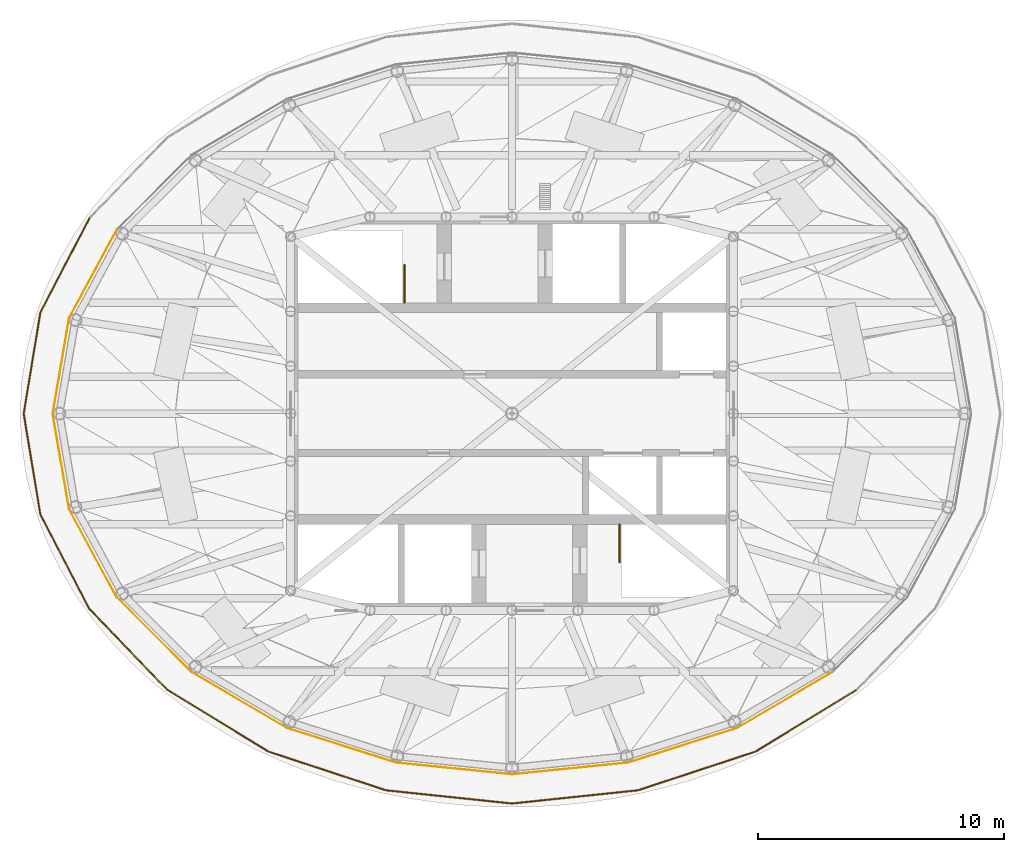
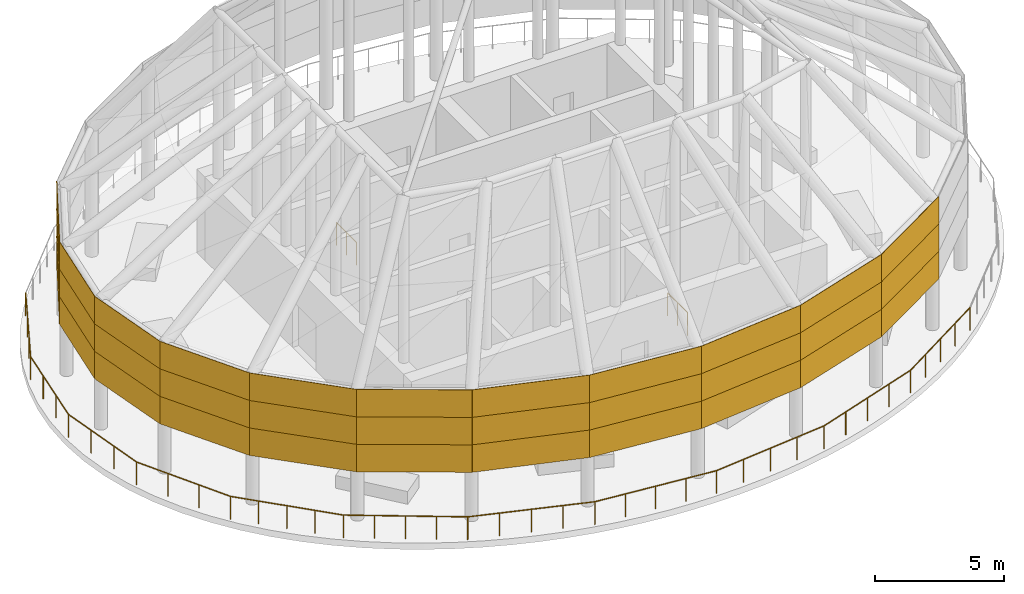
# One storey, part 6 of 8: 33 coverings, 13 railings.
"""IFC4 building model written with IfcOpenShell, lengths in metres."""

from ifc_helpers import new_model, si_unit, direction, frame, origin, origin_2d, place, context, subcontext, project, spatial, polyline, circle, outline, extrude, material, layer, layer_set, type_object, element, save


model = new_model("IFC4")

# Units and contexts
model_context = context("Model", 3, precision=1e-05, world=origin(), true_north=direction((0.0, 1.0)))
body_context = subcontext(model_context, "Body", "Model", "MODEL_VIEW")
ifc_project = project(units=[si_unit("LENGTHUNIT", "METRE"), si_unit("AREAUNIT", "SQUARE_METRE"), si_unit("VOLUMEUNIT", "CUBIC_METRE"), si_unit("PLANEANGLEUNIT", "RADIAN"), si_unit("MASSUNIT", "GRAM", prefix="KILO")], contexts=[model_context])

# Site, building, storey
site_placement = place(None, origin())
site = spatial("IfcSite", under=ifc_project, at=site_placement, CompositionType="ELEMENT")
building_placement = place(site_placement, origin())
building = spatial("IfcBuilding", under=site, at=building_placement, Name="Hankou Lantern Tower", CompositionType="ELEMENT")
storey_placement = place(building_placement, frame((0.0, 0.0, 248.699951171875)))
storey = spatial("IfcBuildingStorey", under=building, at=storey_placement, Name="RF", CompositionType="ELEMENT", Elevation=248.699951171875)

# Railings
ifc_material_1 = material(Name="Stainless steel and laminated glass guard", Category="steel")
railing_type = type_object("IfcRailingType", Name="GR1 GUARD 1100", PredefinedType="GUARDRAIL", material=ifc_material_1)
railing_1_placement = place(storey_placement, frame((-17.182373046875, 7.936279296875, 0.0)))
element("IfcRailing", 1, at=railing_1_placement, inside=storey, type_object=railing_type, Name="Roof garden guard R11", PredefinedType="GUARDRAIL", context=body_context, shape_type="SweptSolid", body=[
    extrude(circle(Radius=0.02392578125, at=origin_2d()), frame((0.0, 0.0, 1.076171875), z_axis=(-0.461153089245, -0.887320589347, 0.0), x_axis=(0.887320589347, -0.461153089245, 0.0)), (0.0, 0.0, 1.0), 4.3125),
    extrude(circle(Radius=0.02099609375, at=origin_2d()), origin(), (0.0, 0.0, 1.0), 1.052001953125),
    extrude(circle(Radius=0.02099609375, at=origin_2d()), frame((-0.662841796875, -1.275634765625, 0.0)), (0.0, 0.0, 1.0), 1.052001953125),
    extrude(circle(Radius=0.02099609375, at=origin_2d()), frame((-1.325927734375, -2.551025390625, 0.0)), (0.0, 0.0, 1.0), 1.052001953125),
    extrude(circle(Radius=0.02099609375, at=origin_2d()), frame((-1.98876953125, -3.82666015625, 0.0)), (0.0, 0.0, 1.0), 1.052001953125),
])
railing_2_placement = place(storey_placement, frame((-19.171142578125, 4.109619140625, 0.0)))
element("IfcRailing", 2, at=railing_2_placement, inside=storey, type_object=railing_type, Name="Roof garden guard R12", PredefinedType="GUARDRAIL", context=body_context, shape_type="SweptSolid", body=[
    extrude(circle(Radius=0.02392578125, at=origin_2d()), frame((0.0, 0.0, 1.076171875), z_axis=(-0.163001624862, -0.986625800541, 0.0), x_axis=(0.986625800541, -0.163001624862, 0.0)), (0.0, 0.0, 1.0), 4.165283203125),
    extrude(circle(Radius=0.02099609375, at=origin_2d()), origin(), (0.0, 0.0, 1.0), 1.052001953125),
    extrude(circle(Radius=0.02099609375, at=origin_2d()), frame((-0.226318359375, -1.369873046875, 0.0)), (0.0, 0.0, 1.0), 1.052001953125),
    extrude(circle(Radius=0.02099609375, at=origin_2d()), frame((-0.45263671875, -2.73974609375, 0.0)), (0.0, 0.0, 1.0), 1.052001953125),
    extrude(circle(Radius=0.02099609375, at=origin_2d()), frame((-0.678955078125, -4.109619140625, 0.0)), (0.0, 0.0, 1.0), 1.052001953125),
])
railing_3_placement = place(storey_placement, frame((-19.85009765625, 0.0, 0.0)))
element("IfcRailing", 3, at=railing_3_placement, inside=storey, type_object=railing_type, Name="Roof garden guard R13", PredefinedType="GUARDRAIL", context=body_context, shape_type="SweptSolid", body=[
    extrude(circle(Radius=0.02392578125, at=origin_2d()), frame((0.0, 0.0, 1.076171875), z_axis=(0.163001624862, -0.986625800541, 0.0), x_axis=(0.986625800541, 0.163001624862, 0.0)), (0.0, 0.0, 1.0), 4.165283203125),
    extrude(circle(Radius=0.02099609375, at=origin_2d()), origin(), (0.0, 0.0, 1.0), 1.052001953125),
    extrude(circle(Radius=0.02099609375, at=origin_2d()), frame((0.226318359375, -1.369873046875, 0.0)), (0.0, 0.0, 1.0), 1.052001953125),
    extrude(circle(Radius=0.02099609375, at=origin_2d()), frame((0.45263671875, -2.73974609375, 0.0)), (0.0, 0.0, 1.0), 1.052001953125),
    extrude(circle(Radius=0.02099609375, at=origin_2d()), frame((0.678955078125, -4.109619140625, 0.0)), (0.0, 0.0, 1.0), 1.052001953125),
])
railing_4_placement = place(storey_placement, frame((-19.171142578125, -4.109619140625, 0.0)))
element("IfcRailing", 4, at=railing_4_placement, inside=storey, type_object=railing_type, Name="Roof garden guard R14", PredefinedType="GUARDRAIL", context=body_context, shape_type="SweptSolid", body=[
    extrude(circle(Radius=0.02392578125, at=origin_2d()), frame((0.0, 0.0, 1.076171875), z_axis=(0.461153089245, -0.887320589347, 0.0), x_axis=(0.887320589347, 0.461153089245, 0.0)), (0.0, 0.0, 1.0), 4.3125),
    extrude(circle(Radius=0.02099609375, at=origin_2d()), origin(), (0.0, 0.0, 1.0), 1.052001953125),
    extrude(circle(Radius=0.02099609375, at=origin_2d()), frame((0.662841796875, -1.275634765625, 0.0)), (0.0, 0.0, 1.0), 1.052001953125),
    extrude(circle(Radius=0.02099609375, at=origin_2d()), frame((1.325927734375, -2.551025390625, 0.0)), (0.0, 0.0, 1.0), 1.052001953125),
    extrude(circle(Radius=0.02099609375, at=origin_2d()), frame((1.98876953125, -3.82666015625, 0.0)), (0.0, 0.0, 1.0), 1.052001953125),
])
railing_5_placement = place(storey_placement, frame((-17.182373046875, -7.936279296875, 0.0)))
element("IfcRailing", 5, at=railing_5_placement, inside=storey, type_object=railing_type, Name="Roof garden guard R15", PredefinedType="GUARDRAIL", context=body_context, shape_type="SweptSolid", body=[
    extrude(circle(Radius=0.02392578125, at=origin_2d()), frame((0.0, 0.0, 1.076171875), z_axis=(0.693555176041, -0.720403510394, 0.0), x_axis=(0.720403510394, 0.693555176041, 0.0)), (0.0, 0.0, 1.0), 4.5556640625),
    extrude(circle(Radius=0.02099609375, at=origin_2d()), origin(), (0.0, 0.0, 1.0), 1.052001953125),
    extrude(circle(Radius=0.02099609375, at=origin_2d()), frame((0.7900390625, -0.820556640625, 0.0)), (0.0, 0.0, 1.0), 1.052001953125),
    extrude(circle(Radius=0.02099609375, at=origin_2d()), frame((1.579833984375, -1.64111328125, 0.0)), (0.0, 0.0, 1.0), 1.052001953125),
    extrude(circle(Radius=0.02099609375, at=origin_2d()), frame((2.36962890625, -2.46142578125, 0.0)), (0.0, 0.0, 1.0), 1.052001953125),
    extrude(circle(Radius=0.02099609375, at=origin_2d()), frame((3.15966796875, -3.281982421875, 0.0)), (0.0, 0.0, 1.0), 1.052001953125),
])
railing_6_placement = place(storey_placement, frame((-14.022705078125, -11.21826171875, 0.0)))
element("IfcRailing", 6, at=railing_6_placement, inside=storey, type_object=railing_type, Name="Roof garden guard R16", PredefinedType="GUARDRAIL", context=body_context, shape_type="SweptSolid", body=[
    extrude(circle(Radius=0.02392578125, at=origin_2d()), frame((0.0, 0.0, 1.076171875), z_axis=(0.853108995208, -0.521732730711, 0.0), x_axis=(0.521732730711, 0.853108995208, 0.0)), (0.0, 0.0, 1.0), 4.81982421875),
    extrude(circle(Radius=0.02099609375, at=origin_2d()), origin(), (0.0, 0.0, 1.0), 1.052001953125),
    extrude(circle(Radius=0.02099609375, at=origin_2d()), frame((1.02783203125, -0.628662109375, 0.0)), (0.0, 0.0, 1.0), 1.052001953125),
    extrude(circle(Radius=0.02099609375, at=origin_2d()), frame((2.055908203125, -1.25732421875, 0.0)), (0.0, 0.0, 1.0), 1.052001953125),
    extrude(circle(Radius=0.02099609375, at=origin_2d()), frame((3.083984375, -1.885986328125, 0.0)), (0.0, 0.0, 1.0), 1.052001953125),
    extrude(circle(Radius=0.02099609375, at=origin_2d()), frame((4.11181640625, -2.5146484375, 0.0)), (0.0, 0.0, 1.0), 1.052001953125),
])
railing_7_placement = place(storey_placement, frame((-9.910888671875, -13.73291015625, 0.0)))
element("IfcRailing", 7, at=railing_7_placement, inside=storey, type_object=railing_type, Name="Roof garden guard R17", PredefinedType="GUARDRAIL", context=body_context, shape_type="SweptSolid", body=[
    extrude(circle(Radius=0.02392578125, at=origin_2d()), frame((0.0, 0.0, 1.076171875), z_axis=(0.949590701779, -0.313492422707, 0.0), x_axis=(0.313492422707, 0.949590701779, 0.0)), (0.0, 0.0, 1.0), 5.036376953125),
    extrude(circle(Radius=0.02099609375, at=origin_2d()), origin(), (0.0, 0.0, 1.0), 1.052001953125),
    extrude(circle(Radius=0.02099609375, at=origin_2d()), frame((1.195556640625, -0.394775390625, 0.0)), (0.0, 0.0, 1.0), 1.052001953125),
    extrude(circle(Radius=0.02099609375, at=origin_2d()), frame((2.39111328125, -0.78955078125, 0.0)), (0.0, 0.0, 1.0), 1.052001953125),
    extrude(circle(Radius=0.02099609375, at=origin_2d()), frame((3.5869140625, -1.18408203125, 0.0)), (0.0, 0.0, 1.0), 1.052001953125),
    extrude(circle(Radius=0.02099609375, at=origin_2d()), frame((4.782470703125, -1.578857421875, 0.0)), (0.0, 0.0, 1.0), 1.052001953125),
])
railing_8_placement = place(storey_placement, frame((-5.12841796875, -15.311767578125, 0.0)))
element("IfcRailing", 8, at=railing_8_placement, inside=storey, type_object=railing_type, Name="Roof garden guard R18", PredefinedType="GUARDRAIL", context=body_context, shape_type="SweptSolid", body=[
    extrude(circle(Radius=0.02392578125, at=origin_2d()), frame((0.0, 0.0, 1.076171875), z_axis=(0.994535764007, -0.10439642767, 0.0), x_axis=(0.10439642767, 0.994535764007, 0.0)), (0.0, 0.0, 1.0), 5.156494140625),
    extrude(circle(Radius=0.02099609375, at=origin_2d()), origin(), (0.0, 0.0, 1.0), 1.052001953125),
    extrude(circle(Radius=0.02099609375, at=origin_2d()), frame((1.2822265625, -0.134521484375, 0.0)), (0.0, 0.0, 1.0), 1.052001953125),
    extrude(circle(Radius=0.02099609375, at=origin_2d()), frame((2.564208984375, -0.26904296875, 0.0)), (0.0, 0.0, 1.0), 1.052001953125),
    extrude(circle(Radius=0.02099609375, at=origin_2d()), frame((3.84619140625, -0.40380859375, 0.0)), (0.0, 0.0, 1.0), 1.052001953125),
    extrude(circle(Radius=0.02099609375, at=origin_2d()), frame((5.12841796875, -0.538330078125, 0.0)), (0.0, 0.0, 1.0), 1.052001953125),
])
railing_9_placement = place(storey_placement, frame((0.0, -15.85009765625, 0.0)))
element("IfcRailing", 9, at=railing_9_placement, inside=storey, type_object=railing_type, Name="Roof garden guard R19", PredefinedType="GUARDRAIL", context=body_context, shape_type="SweptSolid", body=[
    extrude(circle(Radius=0.02392578125, at=origin_2d()), frame((0.0, 0.0, 1.076171875), z_axis=(0.994535764007, 0.10439642767, 0.0), x_axis=(-0.10439642767, 0.994535764007, 0.0)), (0.0, 0.0, 1.0), 5.156494140625),
    extrude(circle(Radius=0.02099609375, at=origin_2d()), origin(), (0.0, 0.0, 1.0), 1.052001953125),
    extrude(circle(Radius=0.02099609375, at=origin_2d()), frame((1.2822265625, 0.134521484375, 0.0)), (0.0, 0.0, 1.0), 1.052001953125),
    extrude(circle(Radius=0.02099609375, at=origin_2d()), frame((2.564208984375, 0.26904296875, 0.0)), (0.0, 0.0, 1.0), 1.052001953125),
    extrude(circle(Radius=0.02099609375, at=origin_2d()), frame((3.84619140625, 0.40380859375, 0.0)), (0.0, 0.0, 1.0), 1.052001953125),
    extrude(circle(Radius=0.02099609375, at=origin_2d()), frame((5.12841796875, 0.538330078125, 0.0)), (0.0, 0.0, 1.0), 1.052001953125),
])
railing_10_placement = place(storey_placement, frame((5.12841796875, -15.311767578125, 0.0)))
element("IfcRailing", 10, at=railing_10_placement, inside=storey, type_object=railing_type, Name="Roof garden guard R20", PredefinedType="GUARDRAIL", context=body_context, shape_type="SweptSolid", body=[
    extrude(circle(Radius=0.02392578125, at=origin_2d()), frame((0.0, 0.0, 1.076171875), z_axis=(0.949590701779, 0.313492422707, 0.0), x_axis=(-0.313492422707, 0.949590701779, 0.0)), (0.0, 0.0, 1.0), 5.036376953125),
    extrude(circle(Radius=0.02099609375, at=origin_2d()), origin(), (0.0, 0.0, 1.0), 1.052001953125),
    extrude(circle(Radius=0.02099609375, at=origin_2d()), frame((1.195556640625, 0.394775390625, 0.0)), (0.0, 0.0, 1.0), 1.052001953125),
    extrude(circle(Radius=0.02099609375, at=origin_2d()), frame((2.39111328125, 0.78955078125, 0.0)), (0.0, 0.0, 1.0), 1.052001953125),
    extrude(circle(Radius=0.02099609375, at=origin_2d()), frame((3.5869140625, 1.18408203125, 0.0)), (0.0, 0.0, 1.0), 1.052001953125),
    extrude(circle(Radius=0.02099609375, at=origin_2d()), frame((4.782470703125, 1.578857421875, 0.0)), (0.0, 0.0, 1.0), 1.052001953125),
])
railing_11_placement = place(storey_placement, frame((9.910888671875, -13.73291015625, 0.0)))
element("IfcRailing", 11, at=railing_11_placement, inside=storey, type_object=railing_type, Name="Roof garden guard R21", PredefinedType="GUARDRAIL", context=body_context, shape_type="SweptSolid", body=[
    extrude(circle(Radius=0.02392578125, at=origin_2d()), frame((0.0, 0.0, 1.076171875), z_axis=(0.853108995208, 0.521732730711, 0.0), x_axis=(-0.521732730711, 0.853108995208, 0.0)), (0.0, 0.0, 1.0), 4.81982421875),
    extrude(circle(Radius=0.02099609375, at=origin_2d()), origin(), (0.0, 0.0, 1.0), 1.052001953125),
    extrude(circle(Radius=0.02099609375, at=origin_2d()), frame((1.02783203125, 0.628662109375, 0.0)), (0.0, 0.0, 1.0), 1.052001953125),
    extrude(circle(Radius=0.02099609375, at=origin_2d()), frame((2.055908203125, 1.25732421875, 0.0)), (0.0, 0.0, 1.0), 1.052001953125),
    extrude(circle(Radius=0.02099609375, at=origin_2d()), frame((3.083984375, 1.885986328125, 0.0)), (0.0, 0.0, 1.0), 1.052001953125),
    extrude(circle(Radius=0.02099609375, at=origin_2d()), frame((4.11181640625, 2.5146484375, 0.0)), (0.0, 0.0, 1.0), 1.052001953125),
])
railing_12_placement = place(storey_placement, frame((-4.3701171875, 4.5, 0.0)))
element("IfcRailing", 12, at=railing_12_placement, inside=storey, type_object=railing_type, Name="Stair STA well guard RF", PredefinedType="GUARDRAIL", context=body_context, shape_type="SweptSolid", body=[
    extrude(circle(Radius=0.02392578125, at=origin_2d()), frame((0.0, 0.0, 1.076171875), z_axis=(0.0, 1.0, 0.0), x_axis=(-1.0, 0.0, 0.0)), (0.0, 0.0, 1.0), 1.550048828125),
    extrude(circle(Radius=0.02099609375, at=origin_2d()), origin(), (0.0, 0.0, 1.0), 1.052001953125),
    extrude(circle(Radius=0.02099609375, at=origin_2d()), frame((0.0, 0.77490234375, 0.0)), (0.0, 0.0, 1.0), 1.052001953125),
    extrude(circle(Radius=0.02099609375, at=origin_2d()), frame((0.0, 1.550048828125, 0.0)), (0.0, 0.0, 1.0), 1.052001953125),
])
railing_13_placement = place(storey_placement, frame((4.3701171875, -4.5, 0.0)))
element("IfcRailing", 13, at=railing_13_placement, inside=storey, type_object=railing_type, Name="Stair STB well guard RF", PredefinedType="GUARDRAIL", context=body_context, shape_type="SweptSolid", body=[
    extrude(circle(Radius=0.02392578125, at=origin_2d()), frame((0.0, 0.0, 1.076171875), z_axis=(0.0, -1.0, 0.0), x_axis=(1.0, 0.0, 0.0)), (0.0, 0.0, 1.0), 1.550048828125),
    extrude(circle(Radius=0.02099609375, at=origin_2d()), origin(), (0.0, 0.0, 1.0), 1.052001953125),
    extrude(circle(Radius=0.02099609375, at=origin_2d()), frame((0.0, -0.77490234375, 0.0)), (0.0, 0.0, 1.0), 1.052001953125),
    extrude(circle(Radius=0.02099609375, at=origin_2d()), frame((0.0, -1.550048828125, 0.0)), (0.0, 0.0, 1.0), 1.052001953125),
])

# Coverings
ifc_material_2 = material(Name="Perforated aluminium, black anodised", Category="aluminium")
ifc_layer = layer(ifc_material_2, 0.02001953125)
ifc_layer_set = layer_set([ifc_layer], Name="Perforated aluminium, black anodised")
covering_type = type_object("IfcCoveringType", Name="LS1 LANTERN SCREEN PANEL", PredefinedType="CLADDING", material=ifc_layer_set)
covering_1_placement = place(storey_placement, frame((-16.05224609375, 7.472900390625, 2.35009765625), z_axis=(0.879686868232, -0.475553376458, 0.0), x_axis=(-0.475553376458, -0.879686868232, 0.0)))
element("IfcCovering", 14, at=covering_1_placement, inside=storey, type_object=covering_type, Name="Lantern screen R11-R12 row 1", PredefinedType="CLADDING", context=body_context, shape_type="SweptSolid", body=[
    extrude(outline(polyline([(0.0, 0.0), (4.074714294024853, 0.0), (4.074714294024853, -1.300048828125), (0.0, -1.300048828125), (0.0, 0.0)])), origin(), (0.0, 0.0, -1.0), 0.02001953125),
])
covering_2_placement = place(storey_placement, frame((-16.05224609375, 7.472900390625, 3.650146484375), z_axis=(0.879686868232, -0.475553376458, 0.0), x_axis=(-0.475553376458, -0.879686868232, 0.0)))
element("IfcCovering", 15, at=covering_2_placement, inside=storey, type_object=covering_type, Name="Lantern screen R11-R12 row 2", PredefinedType="CLADDING", context=body_context, shape_type="SweptSolid", body=[
    extrude(outline(polyline([(0.0, 0.0), (4.074714294024853, 0.0), (4.074714294024853, -1.2998046875000002), (0.0, -1.2998046875000002), (0.0, 0.0)])), origin(), (0.0, 0.0, -1.0), 0.02001953125),
])
covering_3_placement = place(storey_placement, frame((-16.05224609375, 7.472900390625, 4.949951171875), z_axis=(0.879686868232, -0.475553376458, 0.0), x_axis=(-0.475553376458, -0.879686868232, 0.0)))
element("IfcCovering", 16, at=covering_3_placement, inside=storey, type_object=covering_type, Name="Lantern screen R11-R12 row 3", PredefinedType="CLADDING", context=body_context, shape_type="SweptSolid", body=[
    extrude(outline(polyline([(0.0, 0.0), (4.074714294024853, 0.0), (4.074714294024853, -1.300048828125), (0.0, -1.300048828125), (0.0, 0.0)])), origin(), (0.0, 0.0, -1.0), 0.02001953125),
])
covering_4_placement = place(storey_placement, frame((-17.989990234375, 3.888427734375, 2.35009765625), z_axis=(0.985553571326, -0.169363980958, 0.0), x_axis=(-0.169363980958, -0.985553571326, 0.0)))
element("IfcCovering", 17, at=covering_4_placement, inside=storey, type_object=covering_type, Name="Lantern screen R12-R13 row 1", PredefinedType="CLADDING", context=body_context, shape_type="SweptSolid", body=[
    extrude(outline(polyline([(0.0, 0.0), (3.9454250357412843, 0.0), (3.9454250357412843, -1.300048828125), (0.0, -1.300048828125), (0.0, 0.0)])), origin(), (0.0, 0.0, -1.0), 0.02001953125),
])
covering_5_placement = place(storey_placement, frame((-17.989990234375, 3.888427734375, 3.650146484375), z_axis=(0.985553571326, -0.169363980958, 0.0), x_axis=(-0.169363980958, -0.985553571326, 0.0)))
element("IfcCovering", 18, at=covering_5_placement, inside=storey, type_object=covering_type, Name="Lantern screen R12-R13 row 2", PredefinedType="CLADDING", context=body_context, shape_type="SweptSolid", body=[
    extrude(outline(polyline([(0.0, 0.0), (3.9454250357412843, 0.0), (3.9454250357412843, -1.2998046875), (0.0, -1.2998046875), (0.0, 0.0)])), origin(), (0.0, 0.0, -1.0), 0.02001953125),
])
for number, where, z_axis, x_axis, name in (
    (19, (-17.989990234375, 3.888427734375, 4.949951171875), (0.985553571326, -0.169363980958, 0.0), (-0.169363980958, -0.985553571326, 0.0), "Lantern screen R12-R13 row 3"),
    (20, (-18.658203125, 0.0, 2.35009765625), (0.985553571326, 0.169363980958, 0.0), (0.169363980958, -0.985553571326, 0.0), "Lantern screen R13-R14 row 1"),
):
    element("IfcCovering", number, at=place(storey_placement, frame(where, z_axis=z_axis, x_axis=x_axis)), inside=storey, type_object=covering_type, Name=name, PredefinedType="CLADDING", context=body_context, shape_type="SweptSolid", body=[
        extrude(outline(polyline([(0.0, 0.0), (3.9454250357412843, 0.0), (3.9454250357412843, -1.300048828125), (0.0, -1.300048828125), (0.0, 0.0)])), origin(), (0.0, 0.0, -1.0), 0.02001953125),
    ])
covering_6_placement = place(storey_placement, frame((-18.658203125, 0.0, 3.650146484375), z_axis=(0.985553571326, 0.169363980958, 0.0), x_axis=(0.169363980958, -0.985553571326, 0.0)))
element("IfcCovering", 21, at=covering_6_placement, inside=storey, type_object=covering_type, Name="Lantern screen R13-R14 row 2", PredefinedType="CLADDING", context=body_context, shape_type="SweptSolid", body=[
    extrude(outline(polyline([(0.0, 0.0), (3.9454250357412843, 0.0), (3.9454250357412843, -1.2998046875), (0.0, -1.2998046875), (0.0, 0.0)])), origin(), (0.0, 0.0, -1.0), 0.02001953125),
])
covering_7_placement = place(storey_placement, frame((-18.658203125, 0.0, 4.949951171875), z_axis=(0.985553571326, 0.169363980958, 0.0), x_axis=(0.169363980958, -0.985553571326, 0.0)))
element("IfcCovering", 22, at=covering_7_placement, inside=storey, type_object=covering_type, Name="Lantern screen R13-R14 row 3", PredefinedType="CLADDING", context=body_context, shape_type="SweptSolid", body=[
    extrude(outline(polyline([(0.0, 0.0), (3.9454250357412843, 0.0), (3.9454250357412843, -1.300048828125), (0.0, -1.300048828125), (0.0, 0.0)])), origin(), (0.0, 0.0, -1.0), 0.02001953125),
])
covering_8_placement = place(storey_placement, frame((-17.989990234375, -3.888427734375, 2.35009765625), z_axis=(0.879686868232, 0.475553376458, 0.0), x_axis=(0.475553376458, -0.879686868232, 0.0)))
element("IfcCovering", 23, at=covering_8_placement, inside=storey, type_object=covering_type, Name="Lantern screen R14-R15 row 1", PredefinedType="CLADDING", context=body_context, shape_type="SweptSolid", body=[
    extrude(outline(polyline([(0.0, 0.0), (4.074714294024853, 0.0), (4.074714294024853, -1.300048828125), (0.0, -1.300048828125), (0.0, 0.0)])), origin(), (0.0, 0.0, -1.0), 0.02001953125),
])
covering_9_placement = place(storey_placement, frame((-17.989990234375, -3.888427734375, 3.650146484375), z_axis=(0.879686868232, 0.475553376458, 0.0), x_axis=(0.475553376458, -0.879686868232, 0.0)))
element("IfcCovering", 24, at=covering_9_placement, inside=storey, type_object=covering_type, Name="Lantern screen R14-R15 row 2", PredefinedType="CLADDING", context=body_context, shape_type="SweptSolid", body=[
    extrude(outline(polyline([(0.0, 0.0), (4.074714294024853, 0.0), (4.074714294024853, -1.2998046875000002), (0.0, -1.2998046875000002), (0.0, 0.0)])), origin(), (0.0, 0.0, -1.0), 0.02001953125),
])
covering_10_placement = place(storey_placement, frame((-17.989990234375, -3.888427734375, 4.949951171875), z_axis=(0.879686868232, 0.475553376458, 0.0), x_axis=(0.475553376458, -0.879686868232, 0.0)))
element("IfcCovering", 25, at=covering_10_placement, inside=storey, type_object=covering_type, Name="Lantern screen R14-R15 row 3", PredefinedType="CLADDING", context=body_context, shape_type="SweptSolid", body=[
    extrude(outline(polyline([(0.0, 0.0), (4.074714294024853, 0.0), (4.074714294024853, -1.300048828125), (0.0, -1.300048828125), (0.0, 0.0)])), origin(), (0.0, 0.0, -1.0), 0.02001953125),
])
covering_11_placement = place(storey_placement, frame((-16.05224609375, -7.472900390625, 2.35009765625), z_axis=(0.706564598216, 0.70764854875, 0.0), x_axis=(0.70764854875, -0.706564598216, 0.0)))
element("IfcCovering", 26, at=covering_11_placement, inside=storey, type_object=covering_type, Name="Lantern screen R15-R16 row 1", PredefinedType="CLADDING", context=body_context, shape_type="SweptSolid", body=[
    extrude(outline(polyline([(0.0, 0.0), (4.279412877831817, 0.0), (4.279412877831817, -1.3000488281250002), (0.0, -1.3000488281250002), (0.0, 0.0)])), origin(), (0.0, 0.0, -1.0), 0.02001953125),
])
covering_12_placement = place(storey_placement, frame((-16.05224609375, -7.472900390625, 3.650146484375), z_axis=(0.706564598216, 0.70764854875, 0.0), x_axis=(0.70764854875, -0.706564598216, 0.0)))
element("IfcCovering", 27, at=covering_12_placement, inside=storey, type_object=covering_type, Name="Lantern screen R15-R16 row 2", PredefinedType="CLADDING", context=body_context, shape_type="SweptSolid", body=[
    extrude(outline(polyline([(0.0, 0.0), (4.279412877831817, 0.0), (4.279412877831817, -1.2998046875), (0.0, -1.2998046875), (0.0, 0.0)])), origin(), (0.0, 0.0, -1.0), 0.02001953125),
])
covering_13_placement = place(storey_placement, frame((-16.05224609375, -7.472900390625, 4.949951171875), z_axis=(0.706564598216, 0.70764854875, 0.0), x_axis=(0.70764854875, -0.706564598216, 0.0)))
element("IfcCovering", 28, at=covering_13_placement, inside=storey, type_object=covering_type, Name="Lantern screen R15-R16 row 3", PredefinedType="CLADDING", context=body_context, shape_type="SweptSolid", body=[
    extrude(outline(polyline([(0.0, 0.0), (4.279412877831817, 0.0), (4.279412877831817, -1.3000488281250002), (0.0, -1.3000488281250002), (0.0, 0.0)])), origin(), (0.0, 0.0, -1.0), 0.02001953125),
])
covering_14_placement = place(storey_placement, frame((-13.02392578125, -10.49658203125, 2.35009765625), z_axis=(0.506799128551, 0.862064175859, 0.0), x_axis=(0.862064175859, -0.506799128551, 0.0)))
element("IfcCovering", 29, at=covering_14_placement, inside=storey, type_object=covering_type, Name="Lantern screen R16-R17 row 1", PredefinedType="CLADDING", context=body_context, shape_type="SweptSolid", body=[
    extrude(outline(polyline([(0.0, 0.0), (4.490210494500201, 0.0), (4.490210494500201, -1.300048828125), (0.0, -1.300048828125), (0.0, 0.0)])), origin(), (0.0, 0.0, -1.0), 0.02001953125),
])
covering_15_placement = place(storey_placement, frame((-13.02392578125, -10.49658203125, 3.650146484375), z_axis=(0.506799128551, 0.862064175859, 0.0), x_axis=(0.862064175859, -0.506799128551, 0.0)))
element("IfcCovering", 30, at=covering_15_placement, inside=storey, type_object=covering_type, Name="Lantern screen R16-R17 row 2", PredefinedType="CLADDING", context=body_context, shape_type="SweptSolid", body=[
    extrude(outline(polyline([(0.0, 0.0), (4.490210494500201, 0.0), (4.490210494500201, -1.2998046875), (0.0, -1.2998046875), (0.0, 0.0)])), origin(), (0.0, 0.0, -1.0), 0.02001953125),
])
covering_16_placement = place(storey_placement, frame((-13.02392578125, -10.49658203125, 4.949951171875), z_axis=(0.506799128551, 0.862064175859, 0.0), x_axis=(0.862064175859, -0.506799128551, 0.0)))
element("IfcCovering", 31, at=covering_16_placement, inside=storey, type_object=covering_type, Name="Lantern screen R16-R17 row 3", PredefinedType="CLADDING", context=body_context, shape_type="SweptSolid", body=[
    extrude(outline(polyline([(0.0, 0.0), (4.490210494500201, 0.0), (4.490210494500201, -1.300048828125), (0.0, -1.300048828125), (0.0, 0.0)])), origin(), (0.0, 0.0, -1.0), 0.02001953125),
])
covering_17_placement = place(storey_placement, frame((-9.153076171875, -12.772216796875, 2.35009765625), z_axis=(0.302486841956, 0.953153560788, 0.0), x_axis=(0.953153560788, -0.302486841956, 0.0)))
element("IfcCovering", 32, at=covering_17_placement, inside=storey, type_object=covering_type, Name="Lantern screen R17-R18 row 1", PredefinedType="CLADDING", context=body_context, shape_type="SweptSolid", body=[
    extrude(outline(polyline([(0.0, 0.0), (4.653805218916404, 0.0), (4.653805218916404, -1.3000488281250002), (0.0, -1.3000488281250002), (0.0, 0.0)])), origin(), (0.0, 0.0, -1.0), 0.02001953125),
])
covering_18_placement = place(storey_placement, frame((-9.153076171875, -12.772216796875, 3.650146484375), z_axis=(0.302486841956, 0.953153560788, 0.0), x_axis=(0.953153560788, -0.302486841956, 0.0)))
element("IfcCovering", 33, at=covering_18_placement, inside=storey, type_object=covering_type, Name="Lantern screen R17-R18 row 2", PredefinedType="CLADDING", context=body_context, shape_type="SweptSolid", body=[
    extrude(outline(polyline([(0.0, 0.0), (4.653805218916403, 0.0), (4.653805218916403, -1.2998046875), (0.0, -1.2998046875), (0.0, 0.0)])), origin(), (0.0, 0.0, -1.0), 0.02001953125),
])
covering_19_placement = place(storey_placement, frame((-9.153076171875, -12.772216796875, 4.949951171875), z_axis=(0.302486841956, 0.953153560788, 0.0), x_axis=(0.953153560788, -0.302486841956, 0.0)))
element("IfcCovering", 34, at=covering_19_placement, inside=storey, type_object=covering_type, Name="Lantern screen R17-R18 row 3", PredefinedType="CLADDING", context=body_context, shape_type="SweptSolid", body=[
    extrude(outline(polyline([(0.0, 0.0), (4.653805218916404, 0.0), (4.653805218916404, -1.3000488281250002), (0.0, -1.3000488281250002), (0.0, 0.0)])), origin(), (0.0, 0.0, -1.0), 0.02001953125),
])
covering_20_placement = place(storey_placement, frame((-4.71728515625, -14.179931640625, 2.35009765625), z_axis=(0.100360202332, 0.99495116955, 0.0), x_axis=(0.99495116955, -0.100360202332, 0.0)))
element("IfcCovering", 35, at=covering_20_placement, inside=storey, type_object=covering_type, Name="Lantern screen R18-R19 row 1", PredefinedType="CLADDING", context=body_context, shape_type="SweptSolid", body=[
    extrude(outline(polyline([(0.0, 0.0), (4.74122278622562, 0.0), (4.74122278622562, -1.3000488281250002), (0.0, -1.3000488281250002), (0.0, 0.0)])), origin(), (0.0, 0.0, -1.0), 0.02001953125),
])
covering_21_placement = place(storey_placement, frame((-4.71728515625, -14.179931640625, 3.650146484375), z_axis=(0.100360202332, 0.99495116955, 0.0), x_axis=(0.99495116955, -0.100360202332, 0.0)))
element("IfcCovering", 36, at=covering_21_placement, inside=storey, type_object=covering_type, Name="Lantern screen R18-R19 row 2", PredefinedType="CLADDING", context=body_context, shape_type="SweptSolid", body=[
    extrude(outline(polyline([(0.0, 0.0), (4.74122278622562, 0.0), (4.74122278622562, -1.2998046875), (0.0, -1.2998046875), (0.0, 0.0)])), origin(), (0.0, 0.0, -1.0), 0.02001953125),
])
covering_22_placement = place(storey_placement, frame((-4.71728515625, -14.179931640625, 4.949951171875), z_axis=(0.100360202332, 0.99495116955, 0.0), x_axis=(0.99495116955, -0.100360202332, 0.0)))
element("IfcCovering", 37, at=covering_22_placement, inside=storey, type_object=covering_type, Name="Lantern screen R18-R19 row 3", PredefinedType="CLADDING", context=body_context, shape_type="SweptSolid", body=[
    extrude(outline(polyline([(0.0, 0.0), (4.74122278622562, 0.0), (4.74122278622562, -1.3000488281250002), (0.0, -1.3000488281250002), (0.0, 0.0)])), origin(), (0.0, 0.0, -1.0), 0.02001953125),
])
covering_23_placement = place(storey_placement, frame((0.001953125, -14.67578125, 2.35009765625), z_axis=(0.100360202332, -0.99495116955, 0.0), x_axis=(0.99495116955, 0.100360202332, 0.0)))
element("IfcCovering", 38, at=covering_23_placement, inside=storey, type_object=covering_type, Name="Lantern screen R19-R20 row 1", PredefinedType="CLADDING", context=body_context, shape_type="SweptSolid", body=[
    extrude(outline(polyline([(0.0, 0.0), (4.74122278622562, 0.0), (4.74122278622562, 1.3000488281250002), (0.0, 1.3000488281250002), (0.0, 0.0)])), origin(), (0.0, 0.0, -1.0), 0.02001953125),
])
covering_24_placement = place(storey_placement, frame((0.001953125, -14.67578125, 3.650146484375), z_axis=(0.100360202332, -0.99495116955, 0.0), x_axis=(0.99495116955, 0.100360202332, 0.0)))
element("IfcCovering", 39, at=covering_24_placement, inside=storey, type_object=covering_type, Name="Lantern screen R19-R20 row 2", PredefinedType="CLADDING", context=body_context, shape_type="SweptSolid", body=[
    extrude(outline(polyline([(0.0, 0.0), (4.74122278622562, 0.0), (4.74122278622562, 1.2998046875), (0.0, 1.2998046875), (0.0, 0.0)])), origin(), (0.0, 0.0, -1.0), 0.02001953125),
])
covering_25_placement = place(storey_placement, frame((0.001953125, -14.67578125, 4.949951171875), z_axis=(0.100360202332, -0.99495116955, 0.0), x_axis=(0.99495116955, 0.100360202332, 0.0)))
element("IfcCovering", 40, at=covering_25_placement, inside=storey, type_object=covering_type, Name="Lantern screen R19-R20 row 3", PredefinedType="CLADDING", context=body_context, shape_type="SweptSolid", body=[
    extrude(outline(polyline([(0.0, 0.0), (4.74122278622562, 0.0), (4.74122278622562, 1.3000488281250002), (0.0, 1.3000488281250002), (0.0, 0.0)])), origin(), (0.0, 0.0, -1.0), 0.02001953125),
])
covering_26_placement = place(storey_placement, frame((4.723388671875, -14.198974609375, 2.35009765625), z_axis=(0.302486841956, -0.953153560788, 0.0), x_axis=(0.953153560788, 0.302486841956, 0.0)))
element("IfcCovering", 41, at=covering_26_placement, inside=storey, type_object=covering_type, Name="Lantern screen R20-R21 row 1", PredefinedType="CLADDING", context=body_context, shape_type="SweptSolid", body=[
    extrude(outline(polyline([(0.0, 0.0), (4.653805218916404, 0.0), (4.653805218916404, 1.3000488281250002), (0.0, 1.3000488281250002), (0.0, 0.0)])), origin(), (0.0, 0.0, -1.0), 0.02001953125),
])
covering_27_placement = place(storey_placement, frame((4.723388671875, -14.198974609375, 3.650146484375), z_axis=(0.302486841956, -0.953153560788, 0.0), x_axis=(0.953153560788, 0.302486841956, 0.0)))
element("IfcCovering", 42, at=covering_27_placement, inside=storey, type_object=covering_type, Name="Lantern screen R20-R21 row 2", PredefinedType="CLADDING", context=body_context, shape_type="SweptSolid", body=[
    extrude(outline(polyline([(0.0, 0.0), (4.653805218916403, 0.0), (4.653805218916403, 1.2998046875), (0.0, 1.2998046875), (0.0, 0.0)])), origin(), (0.0, 0.0, -1.0), 0.02001953125),
])
covering_28_placement = place(storey_placement, frame((4.723388671875, -14.198974609375, 4.949951171875), z_axis=(0.302486841956, -0.953153560788, 0.0), x_axis=(0.953153560788, 0.302486841956, 0.0)))
element("IfcCovering", 43, at=covering_28_placement, inside=storey, type_object=covering_type, Name="Lantern screen R20-R21 row 3", PredefinedType="CLADDING", context=body_context, shape_type="SweptSolid", body=[
    extrude(outline(polyline([(0.0, 0.0), (4.653805218916404, 0.0), (4.653805218916404, 1.3000488281250002), (0.0, 1.3000488281250002), (0.0, 0.0)])), origin(), (0.0, 0.0, -1.0), 0.02001953125),
])
covering_29_placement = place(storey_placement, frame((9.1630859375, -12.78955078125, 2.35009765625), z_axis=(0.506799128551, -0.862064175859, 0.0), x_axis=(0.862064175859, 0.506799128551, 0.0)))
element("IfcCovering", 44, at=covering_29_placement, inside=storey, type_object=covering_type, Name="Lantern screen R21-R22 row 1", PredefinedType="CLADDING", context=body_context, shape_type="SweptSolid", body=[
    extrude(outline(polyline([(0.0, 0.0), (4.490210494500201, 0.0), (4.490210494500201, 1.300048828125), (0.0, 1.300048828125), (0.0, 0.0)])), origin(), (0.0, 0.0, -1.0), 0.02001953125),
])
covering_30_placement = place(storey_placement, frame((9.1630859375, -12.78955078125, 3.650146484375), z_axis=(0.506799128551, -0.862064175859, 0.0), x_axis=(0.862064175859, 0.506799128551, 0.0)))
element("IfcCovering", 45, at=covering_30_placement, inside=storey, type_object=covering_type, Name="Lantern screen R21-R22 row 2", PredefinedType="CLADDING", context=body_context, shape_type="SweptSolid", body=[
    extrude(outline(polyline([(0.0, 0.0), (4.490210494500201, 0.0), (4.490210494500201, 1.2998046875), (0.0, 1.2998046875), (0.0, 0.0)])), origin(), (0.0, 0.0, -1.0), 0.02001953125),
])
covering_31_placement = place(storey_placement, frame((9.1630859375, -12.78955078125, 4.949951171875), z_axis=(0.506799128551, -0.862064175859, 0.0), x_axis=(0.862064175859, 0.506799128551, 0.0)))
element("IfcCovering", 46, at=covering_31_placement, inside=storey, type_object=covering_type, Name="Lantern screen R21-R22 row 3", PredefinedType="CLADDING", context=body_context, shape_type="SweptSolid", body=[
    extrude(outline(polyline([(0.0, 0.0), (4.490210494500201, 0.0), (4.490210494500201, 1.300048828125), (0.0, 1.300048828125), (0.0, 0.0)])), origin(), (0.0, 0.0, -1.0), 0.02001953125),
])

save(model, "model.ifc")
